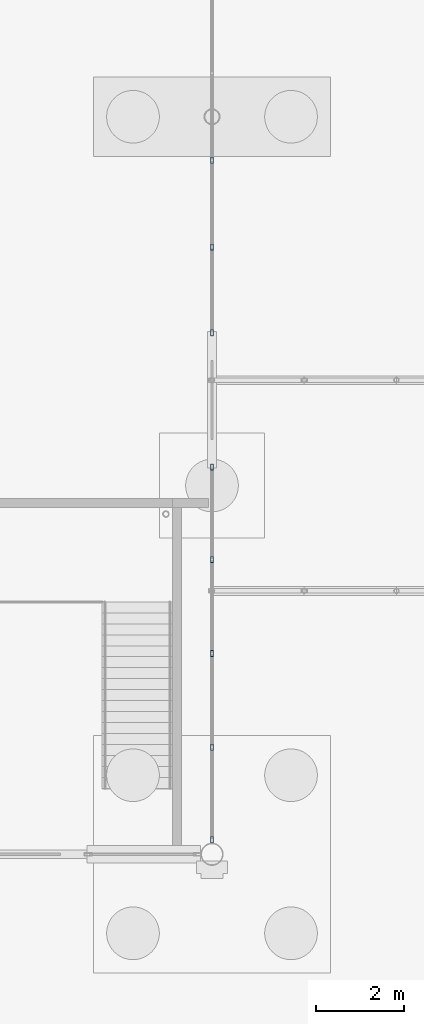
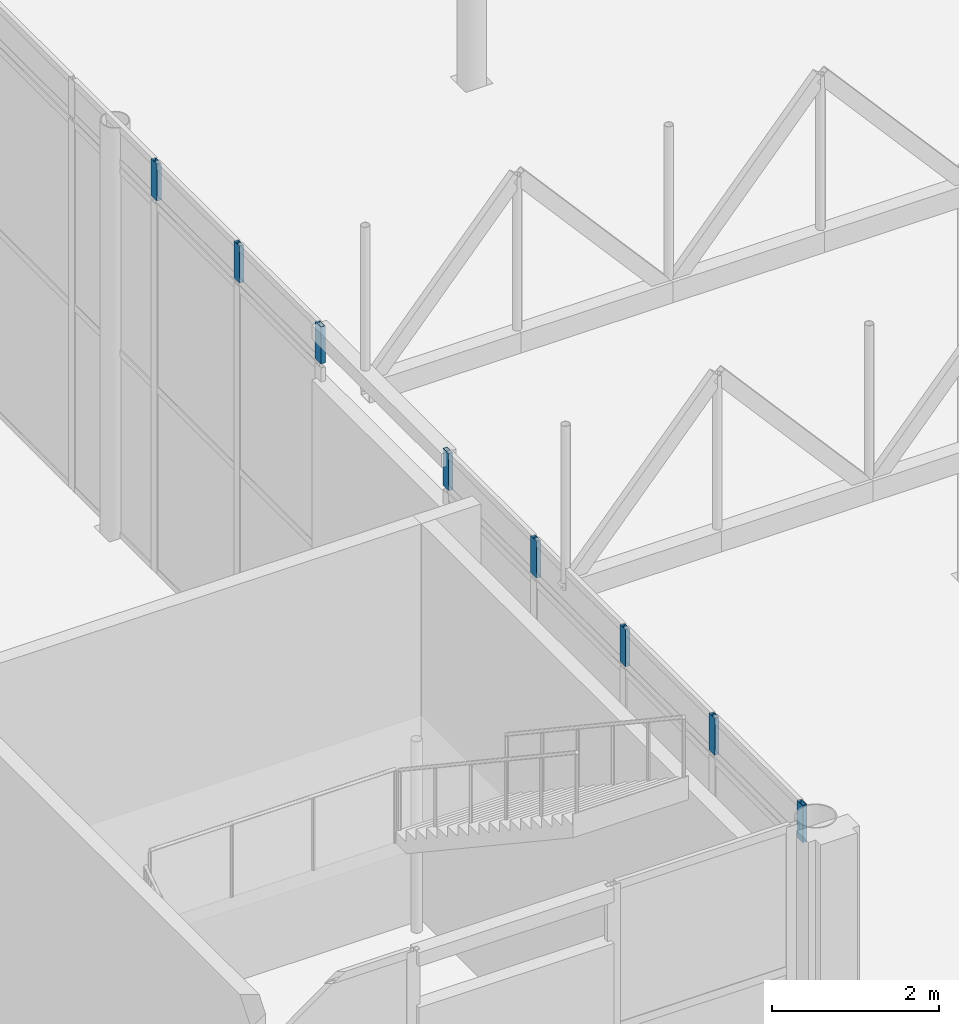
# One storey, part 166 of 212: 8 members, 2 elements without a shape of their own.
"""IFC4 building model written with IfcOpenShell, lengths in metres."""

from ifc_helpers import new_model, si_unit, direction, frame, origin, origin_2d, place, context, subcontext, project, spatial, hollow_rectangle, extrude, material, material_profile, profile_set, type_object, element, aggregate, save


model = new_model("IFC4")

# Units and contexts
model_context = context("Model", 3, precision=1e-05, world=origin(), true_north=direction((0.0, 1.0)))
body_context = subcontext(model_context, "Body", "Model", "MODEL_VIEW")
ifc_project = project(units=[si_unit("LENGTHUNIT", "METRE"), si_unit("AREAUNIT", "SQUARE_METRE"), si_unit("VOLUMEUNIT", "CUBIC_METRE"), si_unit("PLANEANGLEUNIT", "RADIAN"), si_unit("MASSUNIT", "GRAM", prefix="KILO")], contexts=[model_context])

# Site, building, storey
site_placement = place(None, origin())
site = spatial("IfcSite", under=ifc_project, at=site_placement, CompositionType="ELEMENT")
building_placement = place(site_placement, origin())
building = spatial("IfcBuilding", under=site, at=building_placement, Name="Catenary Quay Ferry Terminal", CompositionType="ELEMENT")
storey_placement = place(building_placement, origin())
storey = spatial("IfcBuildingStorey", under=building, at=storey_placement, Name="L00", CompositionType="ELEMENT", Elevation=0.0)

# Curtain wall, members
ifc_material_1 = material(Name="Aluminium and glass", Category="aluminium")
curtain_wall_type = type_object("IfcCurtainWallType", Name="CWQ", PredefinedType="NOTDEFINED", material=ifc_material_1)
curtain_wall_1_placement = place(storey_placement, origin())
curtain_wall_1 = element("IfcCurtainWall", 1, at=curtain_wall_1_placement, inside=storey, type_object=curtain_wall_type, Name="Gable band arrivals hall curtain wall CW170", PredefinedType="NOTDEFINED")
ifc_material_2 = material(Name="Aluminium", Category="aluminium")
ifc_material_profile = material_profile(ifc_material_2, hollow_rectangle(XDim=0.06005859375, YDim=0.139892578125, WallThickness=0.006103515625, at=origin_2d()), Name="MU2")
ifc_profile_set = profile_set([ifc_material_profile], Name="Aluminium")
member_type = type_object("IfcMemberType", Name="MU2", PredefinedType="MULLION", material=ifc_profile_set)
member_1_placement = place(storey_placement, frame((92.39990234375, 67.530029296875, 5.4599609375), z_axis=(0.0, 0.0, 1.0), x_axis=(-1.0, 0.0, 0.0)))
member_1 = element("IfcMember", 2, at=member_1_placement, type_object=member_type, Name="CW170 mullion 1", PredefinedType="MULLION", context=body_context, shape_type="SweptSolid", body=[
    extrude(hollow_rectangle(XDim=0.06005859375, YDim=0.139892578125, WallThickness=0.006103515625, at=origin_2d()), origin(), (0.0, 0.0, 1.0), 0.5400390625),
])
member_2_placement = place(storey_placement, frame((92.39990234375, 69.637451171875, 5.4599609375), z_axis=(0.0, 0.0, 1.0), x_axis=(-1.0, 0.0, 0.0)))
member_2 = element("IfcMember", 3, at=member_2_placement, type_object=member_type, Name="CW170 mullion 2", PredefinedType="MULLION", context=body_context, shape_type="SweptSolid", body=[
    extrude(hollow_rectangle(XDim=0.06005859375, YDim=0.139892578125, WallThickness=0.006103515625, at=origin_2d()), origin(), (0.0, 0.0, 1.0), 0.5400390625),
])
member_3_placement = place(storey_placement, frame((92.39990234375, 71.77490234375, 5.4599609375), z_axis=(0.0, 0.0, 1.0), x_axis=(-1.0, 0.0, 0.0)))
member_3 = element("IfcMember", 4, at=member_3_placement, type_object=member_type, Name="CW170 mullion 3", PredefinedType="MULLION", context=body_context, shape_type="SweptSolid", body=[
    extrude(hollow_rectangle(XDim=0.06005859375, YDim=0.139892578125, WallThickness=0.006103515625, at=origin_2d()), origin(), (0.0, 0.0, 1.0), 0.5400390625),
])
member_4_placement = place(storey_placement, frame((92.39990234375, 73.91259765625, 5.4599609375), z_axis=(0.0, 0.0, 1.0), x_axis=(-1.0, 0.0, 0.0)))
member_4 = element("IfcMember", 5, at=member_4_placement, type_object=member_type, Name="CW170 mullion 4", PredefinedType="MULLION", context=body_context, shape_type="SweptSolid", body=[
    extrude(hollow_rectangle(XDim=0.06005859375, YDim=0.139892578125, WallThickness=0.006103515625, at=origin_2d()), origin(), (0.0, 0.0, 1.0), 0.5400390625),
])
member_5_placement = place(storey_placement, frame((92.39990234375, 76.02001953125, 5.4599609375), z_axis=(0.0, 0.0, 1.0), x_axis=(-1.0, 0.0, 0.0)))
member_5 = element("IfcMember", 6, at=member_5_placement, type_object=member_type, Name="CW170 mullion 5", PredefinedType="MULLION", context=body_context, shape_type="SweptSolid", body=[
    extrude(hollow_rectangle(XDim=0.06005859375, YDim=0.139892578125, WallThickness=0.006103515625, at=origin_2d()), origin(), (0.0, 0.0, 1.0), 0.5400390625),
])
aggregate(curtain_wall_1, [member_1, member_2, member_3, member_4, member_5])

curtain_wall_2_placement = place(storey_placement, origin())
curtain_wall_2 = element("IfcCurtainWall", 7, at=curtain_wall_2_placement, inside=storey, type_object=curtain_wall_type, Name="Gable band arrivals hall curtain wall CW171", PredefinedType="NOTDEFINED")
member_6_placement = place(storey_placement, frame((92.39990234375, 79.080078125, 5.4599609375), z_axis=(0.0, 0.0, 1.0), x_axis=(-1.0, 0.0, 0.0)))
member_6 = element("IfcMember", 8, at=member_6_placement, type_object=member_type, Name="CW171 mullion 1", PredefinedType="MULLION", context=body_context, shape_type="SweptSolid", body=[
    extrude(hollow_rectangle(XDim=0.06005859375, YDim=0.139892578125, WallThickness=0.006103515625, at=origin_2d()), origin(), (0.0, 0.0, 1.0), 0.5400390625),
])
member_7_placement = place(storey_placement, frame((92.39990234375, 81.030029296875, 5.4599609375), z_axis=(0.0, 0.0, 1.0), x_axis=(-1.0, 0.0, 0.0)))
member_7 = element("IfcMember", 9, at=member_7_placement, type_object=member_type, Name="CW171 mullion 2", PredefinedType="MULLION", context=body_context, shape_type="SweptSolid", body=[
    extrude(hollow_rectangle(XDim=0.06005859375, YDim=0.139892578125, WallThickness=0.006103515625, at=origin_2d()), origin(), (0.0, 0.0, 1.0), 0.5400390625),
])
member_8_placement = place(storey_placement, frame((92.39990234375, 83.010009765625, 5.4599609375), z_axis=(0.0, 0.0, 1.0), x_axis=(-1.0, 0.0, 0.0)))
member_8 = element("IfcMember", 10, at=member_8_placement, type_object=member_type, Name="CW171 mullion 3", PredefinedType="MULLION", context=body_context, shape_type="SweptSolid", body=[
    extrude(hollow_rectangle(XDim=0.06005859375, YDim=0.139892578125, WallThickness=0.006103515625, at=origin_2d()), origin(), (0.0, 0.0, 1.0), 0.5400390625),
])
aggregate(curtain_wall_2, [member_6, member_7, member_8])

save(model, "model.ifc")
